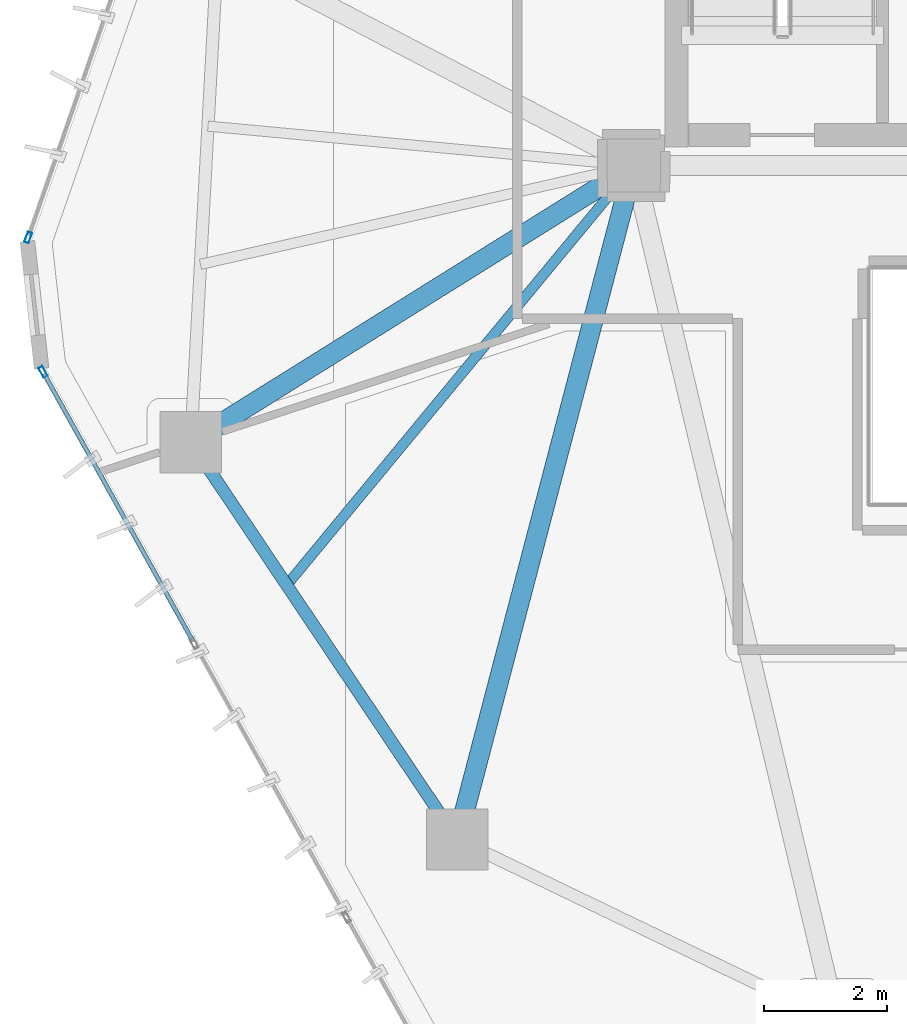
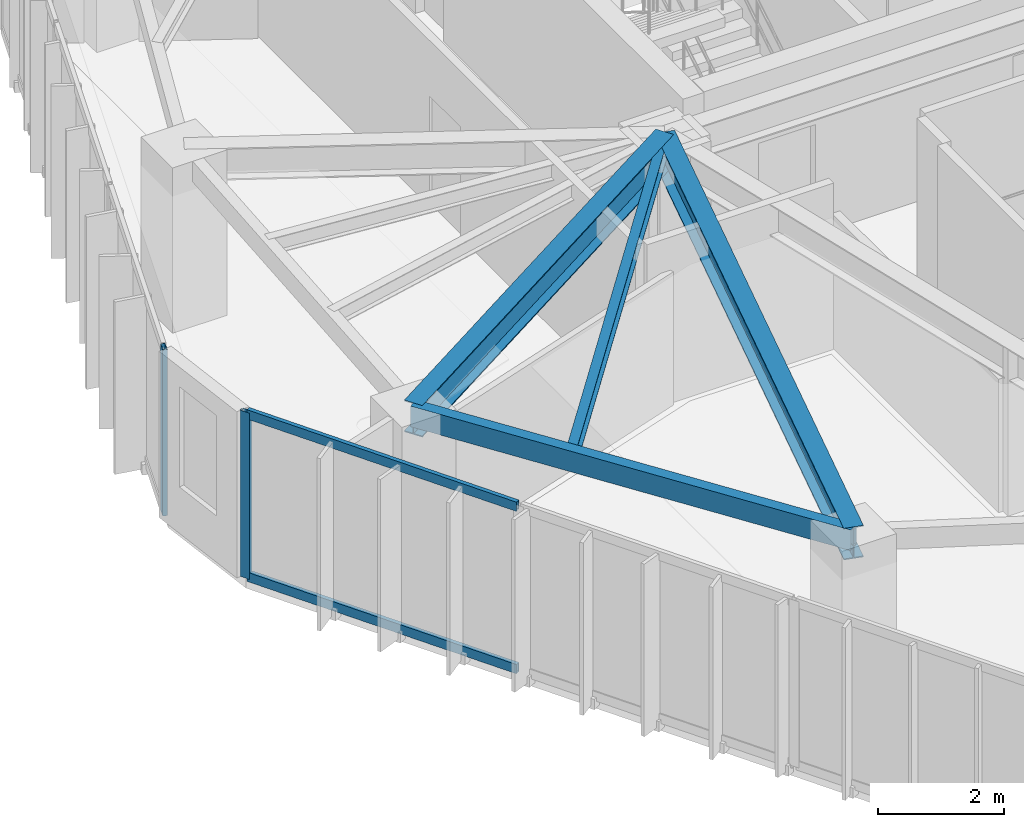
# One storey, part 3 of 20: 4 beams, 4 members, 2 elements without a shape of their own.
"""IFC4 building model written with IfcOpenShell, lengths in metres."""

from ifc_helpers import new_model, si_unit, direction, frame, origin, origin_2d, place, context, subcontext, project, spatial, hollow_rectangle, i_section, extrude, source, transform, mapped, material, layer, layer_set, material_profile, profile_set, type_object, type_shapes, element, aggregate, save


model = new_model("IFC4")

# Units and contexts
model_context = context("Model", 3, precision=1e-05, world=origin(), true_north=direction((0.0, 1.0)))
body_context = subcontext(model_context, "Body", "Model", "MODEL_VIEW")
ifc_project = project(units=[si_unit("LENGTHUNIT", "METRE"), si_unit("AREAUNIT", "SQUARE_METRE"), si_unit("VOLUMEUNIT", "CUBIC_METRE"), si_unit("PLANEANGLEUNIT", "RADIAN"), si_unit("MASSUNIT", "GRAM", prefix="KILO")], contexts=[model_context])

# Site, building, storey
site_placement = place(None, origin())
site = spatial("IfcSite", under=ifc_project, at=site_placement, CompositionType="ELEMENT")
building_placement = place(site_placement, origin())
building = spatial("IfcBuilding", under=site, at=building_placement, Name="Talar Marvaseh", CompositionType="ELEMENT")
storey_placement = place(building_placement, frame((0.0, 0.0, 170.5)))
storey = spatial("IfcBuildingStorey", under=building, at=storey_placement, Name="L44", CompositionType="ELEMENT", Elevation=170.5)

# Beams
ifc_material_1 = material(Name="Steel S355", Category="steel")
ifc_material_profile_1 = material_profile(ifc_material_1, hollow_rectangle(XDim=0.199951171875, YDim=0.39990234375, WallThickness=0.013916015625, at=origin_2d()), Name="RHS400x200x14")
ifc_profile_set_1 = profile_set([ifc_material_profile_1], Name="Steel S355")
beam_type_1 = type_object("IfcBeamType", Name="Zone 3 Perimeter Spandrel Beam RHS400x200x14", PredefinedType="SPANDREL", material=ifc_profile_set_1)
beam_1_placement = place(storey_placement, frame((15.819091796875, 14.5009765625, 3.030029296875), z_axis=(-0.556805579613, 0.830642851358, 0.0), x_axis=(-0.830642851358, -0.556805579613, 0.0)))
element("IfcBeam", 1, at=beam_1_placement, inside=storey, type_object=beam_type_1, Name="L44 Zone 3 Perimeter Spandrel Beam RHS400x200x14", PredefinedType="SPANDREL", context=body_context, shape_type="SweptSolid", body=[
    extrude(hollow_rectangle(XDim=0.199951171875, YDim=0.39990234375, WallThickness=0.013916015625, at=origin_2d()), origin(), (0.0, 0.0, 1.0), 7.807373046875),
])
ifc_material_profile_2 = material_profile(ifc_material_1, i_section(OverallWidth=0.324951171875, OverallDepth=0.615966796875, WebThickness=0.013916015625, FlangeThickness=0.021484375, at=origin_2d()), Name="W610x174")
ifc_profile_set_2 = profile_set([ifc_material_profile_2], Name="Steel S355")
beam_type_2 = type_object("IfcBeamType", Name="Zone 3 Radial Floor Girder W610x174", PredefinedType="BEAM", material=ifc_profile_set_2)
beam_2_placement = place(storey_placement, frame((15.819091796875, 14.5009765625, 2.922119140625), z_axis=(0.253372787776, 0.967368714821, 0.0), x_axis=(-0.967368714821, 0.253372787776, 0.0)))
element("IfcBeam", 2, at=beam_2_placement, inside=storey, type_object=beam_type_2, Name="L44 Zone 3 Radial Floor Girder W610x174", PredefinedType="BEAM", context=body_context, shape_type="SweptSolid", body=[
    extrude(i_section(OverallWidth=0.324951171875, OverallDepth=0.615966796875, WebThickness=0.013916015625, FlangeThickness=0.021484375, at=origin_2d()), origin(), (0.0, 0.0, 1.0), 11.3701171875),
])
beam_3_placement = place(storey_placement, frame((11.471923828125, 20.986083984375, 2.922119140625), z_axis=(0.848188171212, 0.52969503133, 0.0), x_axis=(-0.52969503133, 0.848188171212, 0.0)))
element("IfcBeam", 3, at=beam_3_placement, inside=storey, type_object=beam_type_2, Name="L44 Zone 3 Radial Floor Girder W610x174", PredefinedType="BEAM", context=body_context, shape_type="SweptSolid", body=[
    extrude(i_section(OverallWidth=0.324951171875, OverallDepth=0.615966796875, WebThickness=0.013916015625, FlangeThickness=0.021484375, at=origin_2d()), origin(), (0.0, 0.0, 1.0), 8.521728515625),
])
ifc_material_profile_3 = material_profile(ifc_material_1, i_section(OverallWidth=0.166015625, OverallDepth=0.31298828125, WebThickness=0.006591796875, FlangeThickness=0.01123046875, at=origin_2d()), Name="W310x45")
ifc_profile_set_3 = profile_set([ifc_material_profile_3], Name="Steel S355")
beam_type_3 = type_object("IfcBeamType", Name="Zone 3 Secondary Floor Joist W310x45", PredefinedType="JOIST", material=ifc_profile_set_3)
beam_4_placement = place(storey_placement, frame((13.036865234375, 18.6513671875, 3.073486328125), z_axis=(0.637250554087, 0.770656688362, 0.0), x_axis=(-0.770656688362, 0.637250554087, 0.0)))
element("IfcBeam", 4, at=beam_4_placement, inside=storey, type_object=beam_type_3, Name="L44 Zone 3 Secondary Floor Joist W310x45", PredefinedType="JOIST", context=body_context, shape_type="SweptSolid", body=[
    extrude(i_section(OverallWidth=0.166015625, OverallDepth=0.31298828125, WebThickness=0.006591796875, FlangeThickness=0.01123046875, at=origin_2d()), origin(), (0.0, 0.0, 1.0), 8.88671875),
])

# Curtain wall, member
ifc_material_2 = material(Name="Architectural Aluminium", Category="aluminium")
ifc_layer = layer(ifc_material_2, 0.18994140625)
ifc_layer_set = layer_set([ifc_layer], Name="Architectural Aluminium")
curtain_wall_type = type_object("IfcCurtainWallType", Name="Unitised Solar Atelier Curtain Wall Z3", PredefinedType="NOTDEFINED", material=ifc_layer_set)
curtain_wall_1_placement = place(storey_placement, origin())
curtain_wall_1 = element("IfcCurtainWall", 5, at=curtain_wall_1_placement, inside=storey, type_object=curtain_wall_type, Name="L44 Unitised Solar Atelier Curtain Wall Z3", PredefinedType="NOTDEFINED")
ifc_material_profile_4 = material_profile(ifc_material_2, hollow_rectangle(XDim=0.074951171875, YDim=0.179931640625, WallThickness=0.0048828125, at=origin_2d()), Name="RHS180x75x5")
ifc_profile_set_4 = profile_set([ifc_material_profile_4], Name="Architectural Aluminium")
member_type_1 = type_object("IfcMemberType", Name="Unitised Curtain Wall Standard Mullion RHS180x75x5", PredefinedType="MULLION", material=ifc_profile_set_4)
shared_shape_1 = source(origin(), body_context, "Body", "SweptSolid", [
    extrude(hollow_rectangle(XDim=0.074951171875, YDim=0.179931640625, WallThickness=0.0048828125, at=origin_2d()), origin(), (0.0, 0.0, 1.0), 3.22998046875),
])
type_shapes(member_type_1, [shared_shape_1])
member_1_placement = place(storey_placement, frame((9.059814453125, 22.133544921875, 0.0), z_axis=(0.0, 0.0, 1.0), x_axis=(-0.87380494121, -0.486276592813, 0.0)))
member_1 = element("IfcMember", 6, at=member_1_placement, type_object=member_type_1, Name="CW-Z3 mullion 4", PredefinedType="MULLION", context=body_context, shape_type="MappedRepresentation", body=[
    mapped(shared_shape_1, transform((0.0, 0.0, 0.0), x_axis=(1.0, 0.0, 0.0), y_axis=(0.0, 1.0, 0.0), z_axis=(0.0, 0.0, 1.0), scale=1.0)),
])

curtain_wall_2_placement = place(storey_placement, origin())
curtain_wall_2 = element("IfcCurtainWall", 7, at=curtain_wall_2_placement, inside=storey, type_object=curtain_wall_type, Name="L44 Unitised Solar Atelier Curtain Wall Z3", PredefinedType="NOTDEFINED")
member_2_placement = place(storey_placement, frame((8.81787109375, 24.326416015625, 0.0), z_axis=(0.0, 0.0, 1.0), x_axis=(-0.944480879974, 0.328566381975, 0.0)))
member_2 = element("IfcMember", 8, at=member_2_placement, type_object=member_type_1, Name="CW-Z3 mullion 1", PredefinedType="MULLION", context=body_context, shape_type="MappedRepresentation", body=[
    mapped(shared_shape_1, transform((0.0, 0.0, 0.0), x_axis=(1.0, 0.0, 0.0), y_axis=(0.0, 1.0, 0.0), z_axis=(0.0, 0.0, 1.0), scale=1.0)),
])
aggregate(curtain_wall_2, [member_2])

# Member
ifc_material_profile_5 = material_profile(ifc_material_2, hollow_rectangle(XDim=0.074951171875, YDim=0.179931640625, WallThickness=0.0048828125, at=origin_2d()), Name="RHS180x75x5")
ifc_profile_set_5 = profile_set([ifc_material_profile_5], Name="Architectural Aluminium")
member_type_2 = type_object("IfcMemberType", Name="Unitised Curtain Wall Transom RHS180x75x5", PredefinedType="USERDEFINED", material=ifc_profile_set_5)
shared_shape_2 = source(origin(), body_context, "Body", "SweptSolid", [
    extrude(hollow_rectangle(XDim=0.074951171875, YDim=0.179931640625, WallThickness=0.0048828125, at=origin_2d()), origin(), (0.0, 0.0, 1.0), 5.00048828125),
])
type_shapes(member_type_2, [shared_shape_2])
member_3_placement = place(storey_placement, frame((11.509765625, 17.7314453125, 0.03759765625), z_axis=(-0.486285340004, 0.873800073299, 0.0), x_axis=(-0.873800073299, -0.486285340004, 0.0)))
member_3 = element("IfcMember", 9, at=member_3_placement, type_object=member_type_2, Name="CW-Z3 transom 3.1", ObjectType="TRANSOM", PredefinedType="USERDEFINED", context=body_context, shape_type="MappedRepresentation", body=[
    mapped(shared_shape_2, transform((0.0, 0.0, 0.0), x_axis=(1.0, 0.0, 0.0), y_axis=(0.0, 1.0, 0.0), z_axis=(0.0, 0.0, 1.0), scale=1.0)),
])

member_4_placement = place(storey_placement, frame((11.509765625, 17.7314453125, 3.1923828125), z_axis=(-0.486285340004, 0.873800073299, 0.0), x_axis=(-0.873800073299, -0.486285340004, 0.0)))
member_4 = element("IfcMember", 10, at=member_4_placement, type_object=member_type_2, Name="CW-Z3 transom 3.2", ObjectType="TRANSOM", PredefinedType="USERDEFINED", context=body_context, shape_type="MappedRepresentation", body=[
    mapped(shared_shape_2, transform((0.0, 0.0, 0.0), x_axis=(1.0, 0.0, 0.0), y_axis=(0.0, 1.0, 0.0), z_axis=(0.0, 0.0, 1.0), scale=1.0)),
])

aggregate(curtain_wall_1, [member_1, member_3, member_4])

save(model, "model.ifc")
